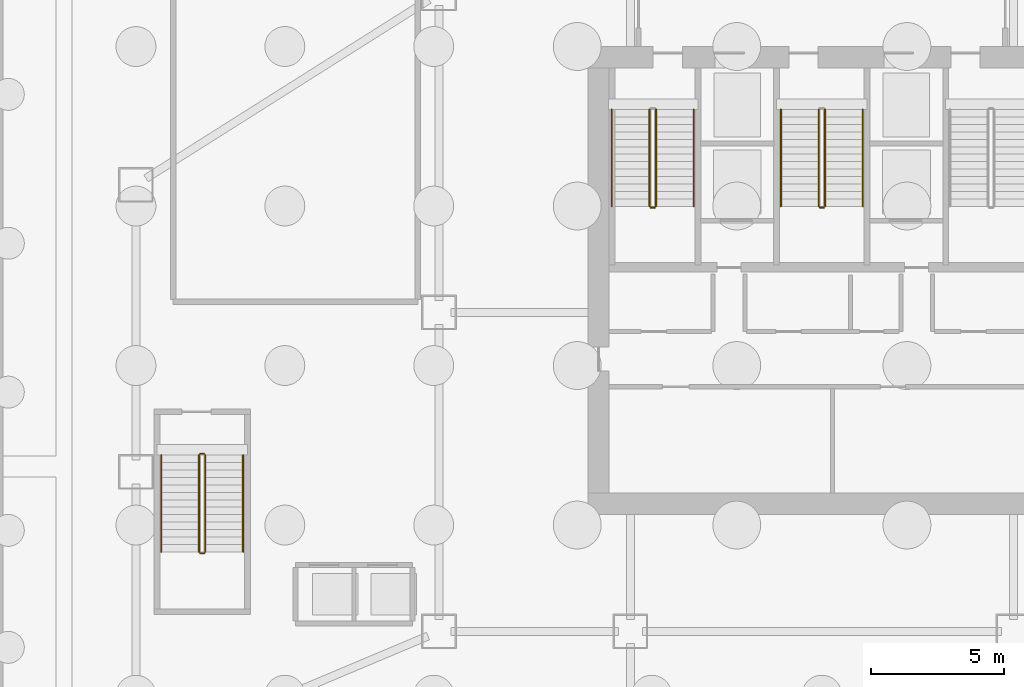
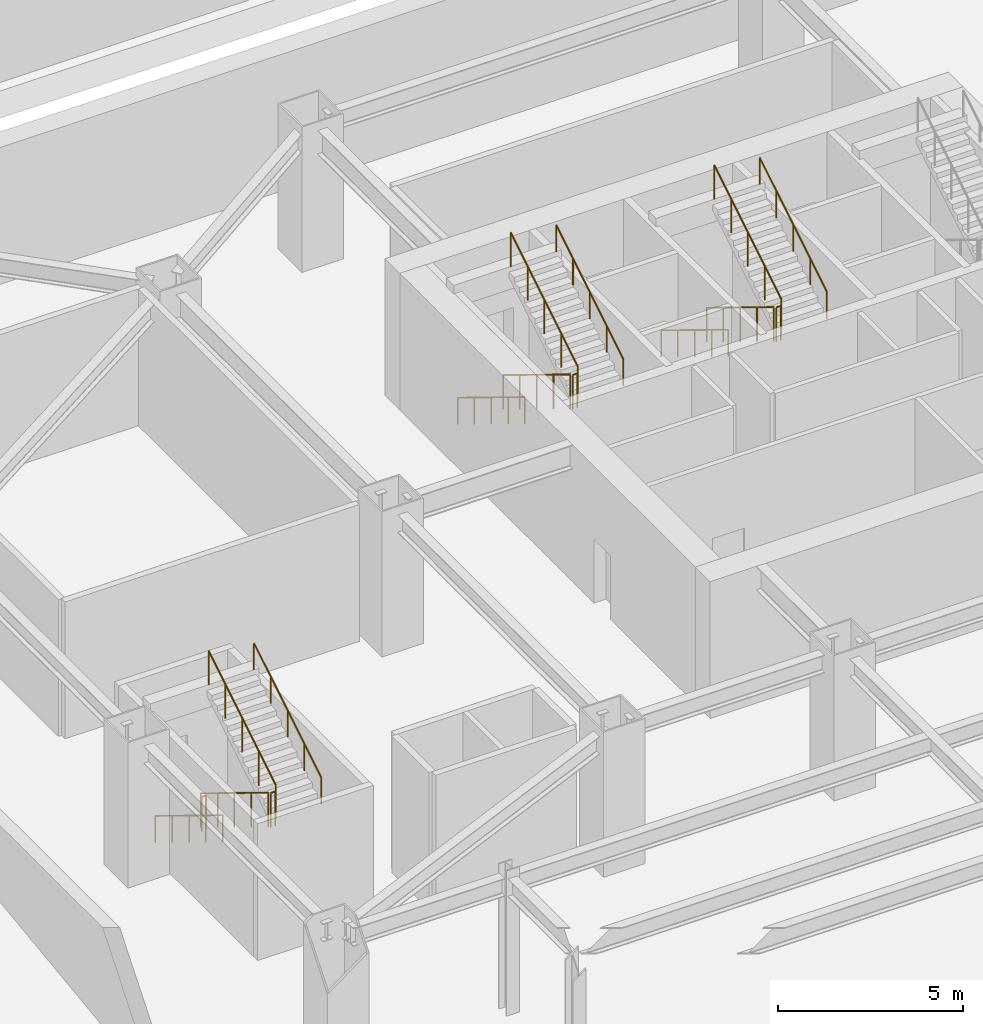
# One storey, part 12 of 15: 16 railings.
"""IFC4 building model written with IfcOpenShell, lengths in metres."""

from ifc_helpers import new_model, si_unit, direction, frame, origin, origin_2d, place, context, subcontext, project, spatial, circle, extrude, material, type_object, element, save


model = new_model("IFC4")

# Units and contexts
model_context = context("Model", 3, precision=1e-05, world=origin(), true_north=direction((0.0, 1.0)))
body_context = subcontext(model_context, "Body", "Model", "MODEL_VIEW")
ifc_project = project(units=[si_unit("LENGTHUNIT", "METRE"), si_unit("AREAUNIT", "SQUARE_METRE"), si_unit("VOLUMEUNIT", "CUBIC_METRE"), si_unit("PLANEANGLEUNIT", "RADIAN"), si_unit("MASSUNIT", "GRAM", prefix="KILO")], contexts=[model_context])

# Site, building, storey
site_placement = place(None, origin())
site = spatial("IfcSite", under=ifc_project, at=site_placement, CompositionType="ELEMENT")
building_placement = place(site_placement, origin())
building = spatial("IfcBuilding", under=site, at=building_placement, Name="Haolan Belvedere Tower", CompositionType="ELEMENT")
storey_placement = place(building_placement, frame((0.0, 0.0, -9.60009765625)))
storey = spatial("IfcBuildingStorey", under=building, at=storey_placement, Name="B2", CompositionType="ELEMENT", Elevation=-9.60009765625)

# Railings
ifc_material = material(Name="Brushed stainless steel 304", Category="steel")
railing_type_1 = type_object("IfcRailingType", Name="RL-STAIR-GRD-1150", PredefinedType="GUARDRAIL", material=ifc_material)
railing_1_placement = place(storey_placement, frame((31.919921875, 41.22998046875, 0.171630859375)))
element("IfcRailing", 1, at=railing_1_placement, inside=storey, type_object=railing_type_1, Name="B2 ST1 stair guard 1", PredefinedType="GUARDRAIL", context=body_context, shape_type="SweptSolid", body=[
    extrude(circle(Radius=0.02392578125, at=origin_2d()), frame((0.0, 0.0, 1.1259765625), z_axis=(0.0, -0.852850264322, 0.5221555579), x_axis=(1.0, 0.0, 0.0)), (0.0, 0.0, 1.0), 4.267822265625),
    extrude(circle(Radius=0.02099609375, at=origin_2d()), origin(), (0.0, 0.0, 1.0), 1.101806640625),
    extrude(circle(Radius=0.02099609375, at=origin_2d()), frame((0.0, -0.909912109375, 0.55712890625)), (0.0, 0.0, 1.0), 1.101806640625),
    extrude(circle(Radius=0.02099609375, at=origin_2d()), frame((0.0, -1.81982421875, 1.1142578125)), (0.0, 0.0, 1.0), 1.101806640625),
    extrude(circle(Radius=0.02099609375, at=origin_2d()), frame((0.0, -2.72998046875, 1.67138671875)), (0.0, 0.0, 1.0), 1.101806640625),
    extrude(circle(Radius=0.02099609375, at=origin_2d()), frame((0.0, -3.639892578125, 2.228515625)), (0.0, 0.0, 1.0), 1.101806640625),
])
railing_2_placement = place(storey_placement, frame((31.969970703125, 37.5400390625, 2.400146484375)))
element("IfcRailing", 2, at=railing_2_placement, inside=storey, type_object=railing_type_1, Name="B2 ST1 stair guard 2", PredefinedType="GUARDRAIL", context=body_context, shape_type="SweptSolid", body=[
    extrude(circle(Radius=0.02392578125, at=origin_2d()), frame((0.0, 0.0, 1.1259765625), z_axis=(1.0, 0.0, 0.0), x_axis=(0.0, 1.0, 0.0)), (0.0, 0.0, 1.0), 0.14013671875),
    extrude(circle(Radius=0.02099609375, at=origin_2d()), origin(), (0.0, 0.0, 1.0), 1.101806640625),
    extrude(circle(Radius=0.02099609375, at=origin_2d()), frame((0.14013671875, 0.0, 0.0)), (0.0, 0.0, 1.0), 1.101806640625),
])
railing_3_placement = place(storey_placement, frame((32.159912109375, 37.590087890625, 2.571533203125)))
element("IfcRailing", 3, at=railing_3_placement, inside=storey, type_object=railing_type_1, Name="B2 ST1 stair guard 3", PredefinedType="GUARDRAIL", context=body_context, shape_type="SweptSolid", body=[
    extrude(circle(Radius=0.02392578125, at=origin_2d()), frame((0.0, 0.0, 1.1259765625), z_axis=(0.0, 0.852850264322, 0.5221555579), x_axis=(-1.0, 0.0, 0.0)), (0.0, 0.0, 1.0), 4.267822265625),
    extrude(circle(Radius=0.02099609375, at=origin_2d()), origin(), (0.0, 0.0, 1.0), 1.101806640625),
    extrude(circle(Radius=0.02099609375, at=origin_2d()), frame((0.0, 0.909912109375, 0.55712890625)), (0.0, 0.0, 1.0), 1.101806640625),
    extrude(circle(Radius=0.02099609375, at=origin_2d()), frame((0.0, 1.81982421875, 1.1142578125)), (0.0, 0.0, 1.0), 1.101806640625),
    extrude(circle(Radius=0.02099609375, at=origin_2d()), frame((0.0, 2.72998046875, 1.67138671875)), (0.0, 0.0, 1.0), 1.101806640625),
    extrude(circle(Radius=0.02099609375, at=origin_2d()), frame((0.0, 3.639892578125, 2.228515625)), (0.0, 0.0, 1.0), 1.101806640625),
])
railing_4_placement = place(storey_placement, frame((38.280029296875, 41.22998046875, 0.171630859375)))
element("IfcRailing", 4, at=railing_4_placement, inside=storey, type_object=railing_type_1, Name="B2 ST3 stair guard 1", PredefinedType="GUARDRAIL", context=body_context, shape_type="SweptSolid", body=[
    extrude(circle(Radius=0.02392578125, at=origin_2d()), frame((0.0, 0.0, 1.1259765625), z_axis=(0.0, -0.852850264322, 0.5221555579), x_axis=(1.0, 0.0, 0.0)), (0.0, 0.0, 1.0), 4.267822265625),
    extrude(circle(Radius=0.02099609375, at=origin_2d()), origin(), (0.0, 0.0, 1.0), 1.101806640625),
    extrude(circle(Radius=0.02099609375, at=origin_2d()), frame((0.0, -0.909912109375, 0.55712890625)), (0.0, 0.0, 1.0), 1.101806640625),
    extrude(circle(Radius=0.02099609375, at=origin_2d()), frame((0.0, -1.81982421875, 1.1142578125)), (0.0, 0.0, 1.0), 1.101806640625),
    extrude(circle(Radius=0.02099609375, at=origin_2d()), frame((0.0, -2.72998046875, 1.67138671875)), (0.0, 0.0, 1.0), 1.101806640625),
    extrude(circle(Radius=0.02099609375, at=origin_2d()), frame((0.0, -3.639892578125, 2.228515625)), (0.0, 0.0, 1.0), 1.101806640625),
])
railing_5_placement = place(storey_placement, frame((38.330078125, 37.5400390625, 2.400146484375)))
element("IfcRailing", 5, at=railing_5_placement, inside=storey, type_object=railing_type_1, Name="B2 ST3 stair guard 2", PredefinedType="GUARDRAIL", context=body_context, shape_type="SweptSolid", body=[
    extrude(circle(Radius=0.02392578125, at=origin_2d()), frame((0.0, 0.0, 1.1259765625), z_axis=(1.0, 0.0, 0.0), x_axis=(0.0, 1.0, 0.0)), (0.0, 0.0, 1.0), 0.139892578125),
    extrude(circle(Radius=0.02099609375, at=origin_2d()), origin(), (0.0, 0.0, 1.0), 1.101806640625),
    extrude(circle(Radius=0.02099609375, at=origin_2d()), frame((0.139892578125, 0.0, 0.0)), (0.0, 0.0, 1.0), 1.101806640625),
])
railing_6_placement = place(storey_placement, frame((38.52001953125, 37.590087890625, 2.571533203125)))
element("IfcRailing", 6, at=railing_6_placement, inside=storey, type_object=railing_type_1, Name="B2 ST3 stair guard 3", PredefinedType="GUARDRAIL", context=body_context, shape_type="SweptSolid", body=[
    extrude(circle(Radius=0.02392578125, at=origin_2d()), frame((0.0, 0.0, 1.1259765625), z_axis=(0.0, 0.852850264322, 0.5221555579), x_axis=(-1.0, 0.0, 0.0)), (0.0, 0.0, 1.0), 4.267822265625),
    extrude(circle(Radius=0.02099609375, at=origin_2d()), origin(), (0.0, 0.0, 1.0), 1.101806640625),
    extrude(circle(Radius=0.02099609375, at=origin_2d()), frame((0.0, 0.909912109375, 0.55712890625)), (0.0, 0.0, 1.0), 1.101806640625),
    extrude(circle(Radius=0.02099609375, at=origin_2d()), frame((0.0, 1.81982421875, 1.1142578125)), (0.0, 0.0, 1.0), 1.101806640625),
    extrude(circle(Radius=0.02099609375, at=origin_2d()), frame((0.0, 2.72998046875, 1.67138671875)), (0.0, 0.0, 1.0), 1.101806640625),
    extrude(circle(Radius=0.02099609375, at=origin_2d()), frame((0.0, 3.639892578125, 2.228515625)), (0.0, 0.0, 1.0), 1.101806640625),
])
railing_7_placement = place(storey_placement, frame((14.969970703125, 28.22998046875, 0.171630859375)))
element("IfcRailing", 7, at=railing_7_placement, inside=storey, type_object=railing_type_1, Name="B2 ST4 stair guard 1", PredefinedType="GUARDRAIL", context=body_context, shape_type="SweptSolid", body=[
    extrude(circle(Radius=0.02392578125, at=origin_2d()), frame((0.0, 0.0, 1.1259765625), z_axis=(0.0, -0.852850264322, 0.5221555579), x_axis=(1.0, 0.0, 0.0)), (0.0, 0.0, 1.0), 4.267822265625),
    extrude(circle(Radius=0.02099609375, at=origin_2d()), origin(), (0.0, 0.0, 1.0), 1.101806640625),
    extrude(circle(Radius=0.02099609375, at=origin_2d()), frame((0.0, -0.909912109375, 0.55712890625)), (0.0, 0.0, 1.0), 1.101806640625),
    extrude(circle(Radius=0.02099609375, at=origin_2d()), frame((0.0, -1.81982421875, 1.1142578125)), (0.0, 0.0, 1.0), 1.101806640625),
    extrude(circle(Radius=0.02099609375, at=origin_2d()), frame((0.0, -2.72998046875, 1.67138671875)), (0.0, 0.0, 1.0), 1.101806640625),
    extrude(circle(Radius=0.02099609375, at=origin_2d()), frame((0.0, -3.639892578125, 2.228515625)), (0.0, 0.0, 1.0), 1.101806640625),
])
railing_8_placement = place(storey_placement, frame((15.02001953125, 24.5400390625, 2.400146484375)))
element("IfcRailing", 8, at=railing_8_placement, inside=storey, type_object=railing_type_1, Name="B2 ST4 stair guard 2", PredefinedType="GUARDRAIL", context=body_context, shape_type="SweptSolid", body=[
    extrude(circle(Radius=0.02392578125, at=origin_2d()), frame((0.0, 0.0, 1.1259765625), z_axis=(1.0, 0.0, 0.0), x_axis=(0.0, 1.0, 0.0)), (0.0, 0.0, 1.0), 0.139892578125),
    extrude(circle(Radius=0.02099609375, at=origin_2d()), origin(), (0.0, 0.0, 1.0), 1.101806640625),
    extrude(circle(Radius=0.02099609375, at=origin_2d()), frame((0.139892578125, 0.0, 0.0)), (0.0, 0.0, 1.0), 1.101806640625),
])
railing_9_placement = place(storey_placement, frame((15.2099609375, 24.590087890625, 2.571533203125)))
element("IfcRailing", 9, at=railing_9_placement, inside=storey, type_object=railing_type_1, Name="B2 ST4 stair guard 3", PredefinedType="GUARDRAIL", context=body_context, shape_type="SweptSolid", body=[
    extrude(circle(Radius=0.02392578125, at=origin_2d()), frame((0.0, 0.0, 1.1259765625), z_axis=(0.0, 0.852850264322, 0.5221555579), x_axis=(-1.0, 0.0, 0.0)), (0.0, 0.0, 1.0), 4.267822265625),
    extrude(circle(Radius=0.02099609375, at=origin_2d()), origin(), (0.0, 0.0, 1.0), 1.101806640625),
    extrude(circle(Radius=0.02099609375, at=origin_2d()), frame((0.0, 0.909912109375, 0.55712890625)), (0.0, 0.0, 1.0), 1.101806640625),
    extrude(circle(Radius=0.02099609375, at=origin_2d()), frame((0.0, 1.81982421875, 1.1142578125)), (0.0, 0.0, 1.0), 1.101806640625),
    extrude(circle(Radius=0.02099609375, at=origin_2d()), frame((0.0, 2.72998046875, 1.67138671875)), (0.0, 0.0, 1.0), 1.101806640625),
    extrude(circle(Radius=0.02099609375, at=origin_2d()), frame((0.0, 3.639892578125, 2.228515625)), (0.0, 0.0, 1.0), 1.101806640625),
])
railing_10_placement = place(storey_placement, frame((15.02001953125, 28.280029296875, 0.0)))
element("IfcRailing", 10, at=railing_10_placement, inside=storey, type_object=railing_type_1, Name="B2 ST4 stair guard 4", PredefinedType="GUARDRAIL", context=body_context, shape_type="SweptSolid", body=[
    extrude(circle(Radius=0.02392578125, at=origin_2d()), frame((0.0, 0.0, 1.1259765625), z_axis=(1.0, 0.0, 0.0), x_axis=(0.0, 1.0, 0.0)), (0.0, 0.0, 1.0), 0.139892578125),
    extrude(circle(Radius=0.02099609375, at=origin_2d()), origin(), (0.0, 0.0, 1.0), 1.101806640625),
    extrude(circle(Radius=0.02099609375, at=origin_2d()), frame((0.139892578125, 0.0, 0.0)), (0.0, 0.0, 1.0), 1.101806640625),
])
railing_type_2 = type_object("IfcRailingType", Name="RL-STAIR-HND-900", PredefinedType="HANDRAIL", material=ifc_material)
railing_11_placement = place(storey_placement, frame((30.5, 41.22998046875, 0.171630859375)))
element("IfcRailing", 11, at=railing_11_placement, inside=storey, type_object=railing_type_2, Name="B2 ST1 stair handrail 1", PredefinedType="HANDRAIL", context=body_context, shape_type="SweptSolid", body=[
    extrude(circle(Radius=0.02392578125, at=origin_2d()), frame((0.0, 0.0, 0.8759765625), z_axis=(0.0, -0.852850264322, 0.5221555579), x_axis=(1.0, 0.0, 0.0)), (0.0, 0.0, 1.0), 4.267822265625),
    extrude(circle(Radius=0.02099609375, at=origin_2d()), origin(), (0.0, 0.0, 1.0), 0.851806640625),
    extrude(circle(Radius=0.02099609375, at=origin_2d()), frame((0.0, -0.909912109375, 0.55712890625)), (0.0, 0.0, 1.0), 0.851806640625),
    extrude(circle(Radius=0.02099609375, at=origin_2d()), frame((0.0, -1.81982421875, 1.1142578125)), (0.0, 0.0, 1.0), 0.851806640625),
    extrude(circle(Radius=0.02099609375, at=origin_2d()), frame((0.0, -2.72998046875, 1.67138671875)), (0.0, 0.0, 1.0), 0.851806640625),
    extrude(circle(Radius=0.02099609375, at=origin_2d()), frame((0.0, -3.639892578125, 2.228515625)), (0.0, 0.0, 1.0), 0.851806640625),
])
railing_12_placement = place(storey_placement, frame((33.580078125, 37.590087890625, 2.571533203125)))
element("IfcRailing", 12, at=railing_12_placement, inside=storey, type_object=railing_type_2, Name="B2 ST1 stair handrail 2", PredefinedType="HANDRAIL", context=body_context, shape_type="SweptSolid", body=[
    extrude(circle(Radius=0.02392578125, at=origin_2d()), frame((0.0, 0.0, 0.8759765625), z_axis=(0.0, 0.852850264322, 0.5221555579), x_axis=(-1.0, 0.0, 0.0)), (0.0, 0.0, 1.0), 4.267822265625),
    extrude(circle(Radius=0.02099609375, at=origin_2d()), origin(), (0.0, 0.0, 1.0), 0.851806640625),
    extrude(circle(Radius=0.02099609375, at=origin_2d()), frame((0.0, 0.909912109375, 0.55712890625)), (0.0, 0.0, 1.0), 0.851806640625),
    extrude(circle(Radius=0.02099609375, at=origin_2d()), frame((0.0, 1.81982421875, 1.1142578125)), (0.0, 0.0, 1.0), 0.851806640625),
    extrude(circle(Radius=0.02099609375, at=origin_2d()), frame((0.0, 2.72998046875, 1.67138671875)), (0.0, 0.0, 1.0), 0.851806640625),
    extrude(circle(Radius=0.02099609375, at=origin_2d()), frame((0.0, 3.639892578125, 2.228515625)), (0.0, 0.0, 1.0), 0.851806640625),
])
railing_13_placement = place(storey_placement, frame((36.860107421875, 41.22998046875, 0.171630859375)))
element("IfcRailing", 13, at=railing_13_placement, inside=storey, type_object=railing_type_2, Name="B2 ST3 stair handrail 1", PredefinedType="HANDRAIL", context=body_context, shape_type="SweptSolid", body=[
    extrude(circle(Radius=0.02392578125, at=origin_2d()), frame((0.0, 0.0, 0.8759765625), z_axis=(0.0, -0.852850264322, 0.5221555579), x_axis=(1.0, 0.0, 0.0)), (0.0, 0.0, 1.0), 4.267822265625),
    extrude(circle(Radius=0.02099609375, at=origin_2d()), origin(), (0.0, 0.0, 1.0), 0.851806640625),
    extrude(circle(Radius=0.02099609375, at=origin_2d()), frame((0.0, -0.909912109375, 0.55712890625)), (0.0, 0.0, 1.0), 0.851806640625),
    extrude(circle(Radius=0.02099609375, at=origin_2d()), frame((0.0, -1.81982421875, 1.1142578125)), (0.0, 0.0, 1.0), 0.851806640625),
    extrude(circle(Radius=0.02099609375, at=origin_2d()), frame((0.0, -2.72998046875, 1.67138671875)), (0.0, 0.0, 1.0), 0.851806640625),
    extrude(circle(Radius=0.02099609375, at=origin_2d()), frame((0.0, -3.639892578125, 2.228515625)), (0.0, 0.0, 1.0), 0.851806640625),
])
railing_14_placement = place(storey_placement, frame((39.93994140625, 37.590087890625, 2.571533203125)))
element("IfcRailing", 14, at=railing_14_placement, inside=storey, type_object=railing_type_2, Name="B2 ST3 stair handrail 2", PredefinedType="HANDRAIL", context=body_context, shape_type="SweptSolid", body=[
    extrude(circle(Radius=0.02392578125, at=origin_2d()), frame((0.0, 0.0, 0.8759765625), z_axis=(0.0, 0.852850264322, 0.5221555579), x_axis=(-1.0, 0.0, 0.0)), (0.0, 0.0, 1.0), 4.267822265625),
    extrude(circle(Radius=0.02099609375, at=origin_2d()), origin(), (0.0, 0.0, 1.0), 0.851806640625),
    extrude(circle(Radius=0.02099609375, at=origin_2d()), frame((0.0, 0.909912109375, 0.55712890625)), (0.0, 0.0, 1.0), 0.851806640625),
    extrude(circle(Radius=0.02099609375, at=origin_2d()), frame((0.0, 1.81982421875, 1.1142578125)), (0.0, 0.0, 1.0), 0.851806640625),
    extrude(circle(Radius=0.02099609375, at=origin_2d()), frame((0.0, 2.72998046875, 1.67138671875)), (0.0, 0.0, 1.0), 0.851806640625),
    extrude(circle(Radius=0.02099609375, at=origin_2d()), frame((0.0, 3.639892578125, 2.228515625)), (0.0, 0.0, 1.0), 0.851806640625),
])
railing_15_placement = place(storey_placement, frame((13.550048828125, 28.22998046875, 0.171630859375)))
element("IfcRailing", 15, at=railing_15_placement, inside=storey, type_object=railing_type_2, Name="B2 ST4 stair handrail 1", PredefinedType="HANDRAIL", context=body_context, shape_type="SweptSolid", body=[
    extrude(circle(Radius=0.02392578125, at=origin_2d()), frame((0.0, 0.0, 0.8759765625), z_axis=(0.0, -0.852850264322, 0.5221555579), x_axis=(1.0, 0.0, 0.0)), (0.0, 0.0, 1.0), 4.267822265625),
    extrude(circle(Radius=0.02099609375, at=origin_2d()), origin(), (0.0, 0.0, 1.0), 0.851806640625),
    extrude(circle(Radius=0.02099609375, at=origin_2d()), frame((0.0, -0.909912109375, 0.55712890625)), (0.0, 0.0, 1.0), 0.851806640625),
    extrude(circle(Radius=0.02099609375, at=origin_2d()), frame((0.0, -1.81982421875, 1.1142578125)), (0.0, 0.0, 1.0), 0.851806640625),
    extrude(circle(Radius=0.02099609375, at=origin_2d()), frame((0.0, -2.72998046875, 1.67138671875)), (0.0, 0.0, 1.0), 0.851806640625),
    extrude(circle(Radius=0.02099609375, at=origin_2d()), frame((0.0, -3.639892578125, 2.228515625)), (0.0, 0.0, 1.0), 0.851806640625),
])
railing_16_placement = place(storey_placement, frame((16.6298828125, 24.590087890625, 2.571533203125)))
element("IfcRailing", 16, at=railing_16_placement, inside=storey, type_object=railing_type_2, Name="B2 ST4 stair handrail 2", PredefinedType="HANDRAIL", context=body_context, shape_type="SweptSolid", body=[
    extrude(circle(Radius=0.02392578125, at=origin_2d()), frame((0.0, 0.0, 0.8759765625), z_axis=(0.0, 0.852850264322, 0.5221555579), x_axis=(-1.0, 0.0, 0.0)), (0.0, 0.0, 1.0), 4.267822265625),
    extrude(circle(Radius=0.02099609375, at=origin_2d()), origin(), (0.0, 0.0, 1.0), 0.851806640625),
    extrude(circle(Radius=0.02099609375, at=origin_2d()), frame((0.0, 0.909912109375, 0.55712890625)), (0.0, 0.0, 1.0), 0.851806640625),
    extrude(circle(Radius=0.02099609375, at=origin_2d()), frame((0.0, 1.81982421875, 1.1142578125)), (0.0, 0.0, 1.0), 0.851806640625),
    extrude(circle(Radius=0.02099609375, at=origin_2d()), frame((0.0, 2.72998046875, 1.67138671875)), (0.0, 0.0, 1.0), 0.851806640625),
    extrude(circle(Radius=0.02099609375, at=origin_2d()), frame((0.0, 3.639892578125, 2.228515625)), (0.0, 0.0, 1.0), 0.851806640625),
])

save(model, "model.ifc")
